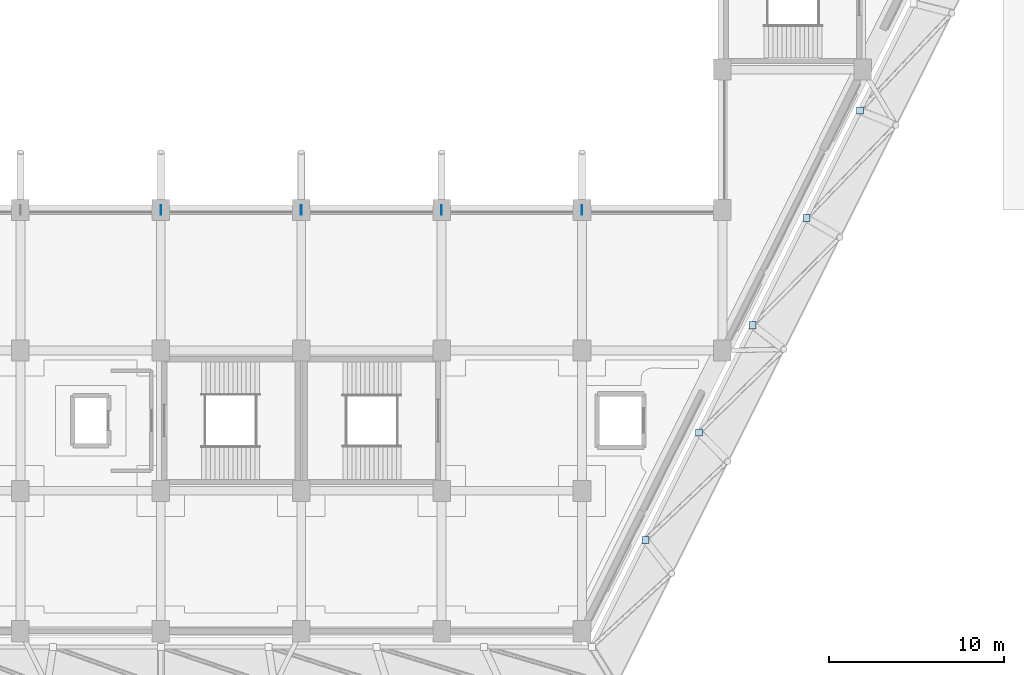
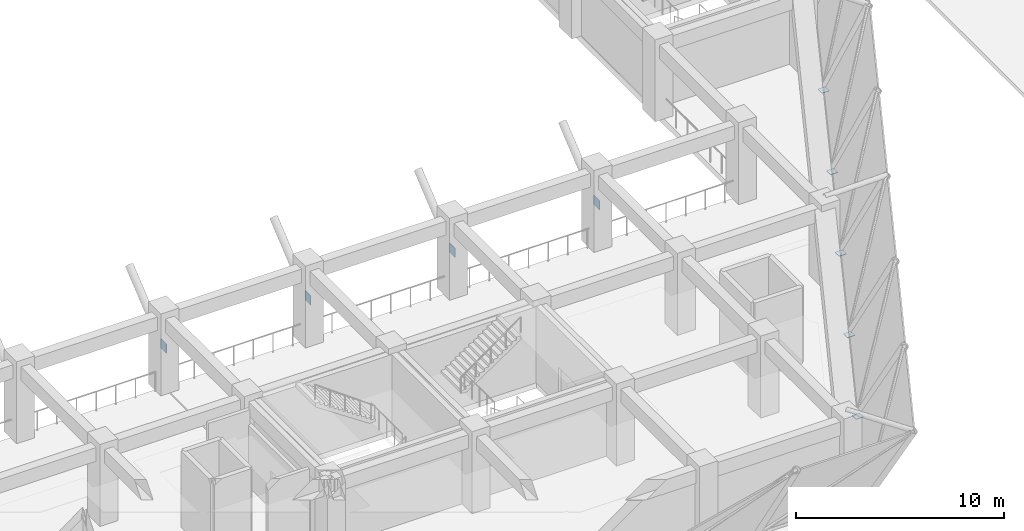
# One storey, part 23 of 46: 9 plates.
"""IFC4 building model written with IfcOpenShell, lengths in metres."""

from ifc_helpers import new_model, si_unit, direction, frame, origin, origin_2d, place, context, subcontext, project, spatial, rectangle, extrude, material, layer, layer_set, type_object, element, save


model = new_model("IFC4")

# Units and contexts
model_context = context("Model", 3, precision=1e-05, world=origin(), true_north=direction((0.0, 1.0)))
body_context = subcontext(model_context, "Body", "Model", "MODEL_VIEW")
ifc_project = project(units=[si_unit("LENGTHUNIT", "METRE"), si_unit("AREAUNIT", "SQUARE_METRE"), si_unit("VOLUMEUNIT", "CUBIC_METRE"), si_unit("PLANEANGLEUNIT", "RADIAN"), si_unit("MASSUNIT", "GRAM", prefix="KILO")], contexts=[model_context])

# Site, building, storey
site_placement = place(None, origin())
site = spatial("IfcSite", under=ifc_project, at=site_placement, CompositionType="ELEMENT")
building_placement = place(site_placement, origin())
building = spatial("IfcBuilding", under=site, at=building_placement, Name="Tazarka Park Arena", CompositionType="ELEMENT")
storey_placement = place(building_placement, frame((0.0, 0.0, 10.199951171875)))
storey = spatial("IfcBuildingStorey", under=building, at=storey_placement, Name="L02", CompositionType="ELEMENT", Elevation=10.199951171875)

# Plates
ifc_material_1 = material(Name="Steel S460", Category="steel")
ifc_layer_1 = layer(ifc_material_1, 0.031982421875, Name="Steel S460")
ifc_layer_set_1 = layer_set([ifc_layer_1], Name="Steel S460")
plate_type_1 = type_object("IfcPlateType", Name="PLT-PL-12", PredefinedType="USERDEFINED", material=ifc_layer_set_1)
for number, where, z_axis, x_axis, name in (
    (1, (88.0, 40.0, 2.130126953125), (0.0, 0.0, 1.0), (1.0, 0.0, 0.0), "RKP-S-11-1"),
    (2, (96.0, 40.0, 2.130126953125), (0.0, 0.0, 1.0), (1.0, 0.0, 0.0), "RKP-S-12-1"),
    (3, (104.0, 40.0, 2.130126953125), (0.0, 0.0, 1.0), (1.0, 0.0, 0.0), "RKP-S-13-1"),
    (4, (112.0, 40.0, 2.130126953125), (0.0, 0.0, 1.0), (1.0, 0.0, 0.0), "RKP-S-14-1"),
):
    element("IfcPlate", number, at=place(storey_placement, frame(where, z_axis=z_axis, x_axis=x_axis)), inside=storey, type_object=plate_type_1, Name=name, ObjectType="STIFFENER", PredefinedType="USERDEFINED", context=body_context, shape_type="SweptSolid", body=[
        extrude(rectangle(XDim=0.031982421875, YDim=0.5400390625, at=origin_2d()), origin(), (0.0, 0.0, 1.0), 0.5400390625),
    ])
ifc_material_2 = material(Name="Steel S460", Category="steel")
ifc_layer_2 = layer(ifc_material_2, 0.02587890625, Name="Steel S460")
ifc_layer_set_2 = layer_set([ifc_layer_2], Name="Steel S460")
plate_type_2 = type_object("IfcPlateType", Name="PLT-PL-14", PredefinedType="USERDEFINED", material=ifc_layer_set_2)
for number, where, z_axis, x_axis, name in (
    (5, (115.612548828125, 21.21240234375, -0.012939453125), (0.0, 0.0, 1.0), (1.0, 0.0, 0.0), "GMP-B-09"),
    (6, (118.668701171875, 27.324951171875, -0.012939453125), (0.0, 0.0, 1.0), (1.0, 0.0, 0.0), "GMP-B-10"),
    (7, (121.72509765625, 33.4375, -0.012939453125), (0.0, 0.0, 1.0), (1.0, 0.0, 0.0), "GMP-B-11"),
    (8, (124.78125, 39.550048828125, -0.012939453125), (0.0, 0.0, 1.0), (1.0, 0.0, 0.0), "GMP-B-12"),
    (9, (127.83740234375, 45.66259765625, -0.012939453125), (0.0, 0.0, 1.0), (1.0, 0.0, 0.0), "GMP-B-13"),
):
    element("IfcPlate", number, at=place(storey_placement, frame(where, z_axis=z_axis, x_axis=x_axis)), inside=storey, type_object=plate_type_2, Name=name, ObjectType="STIFFENER", PredefinedType="USERDEFINED", context=body_context, shape_type="SweptSolid", body=[
        extrude(rectangle(XDim=0.39990234375, YDim=0.39990234375, at=origin_2d()), origin(), (0.0, 0.0, 1.0), 0.02587890625),
    ])

save(model, "model.ifc")
